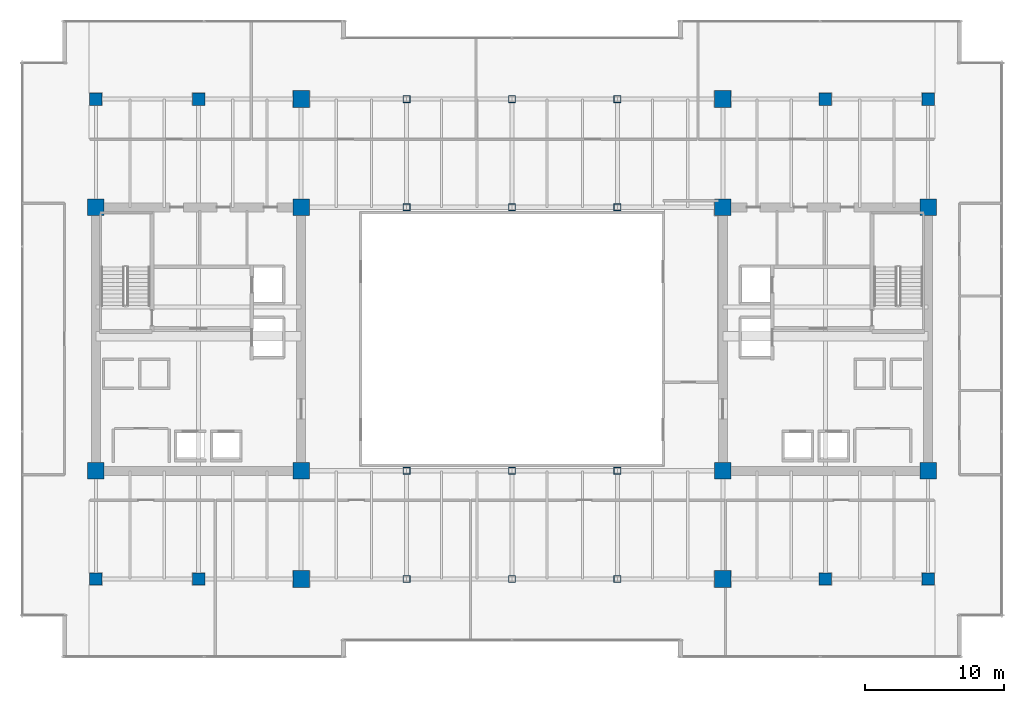
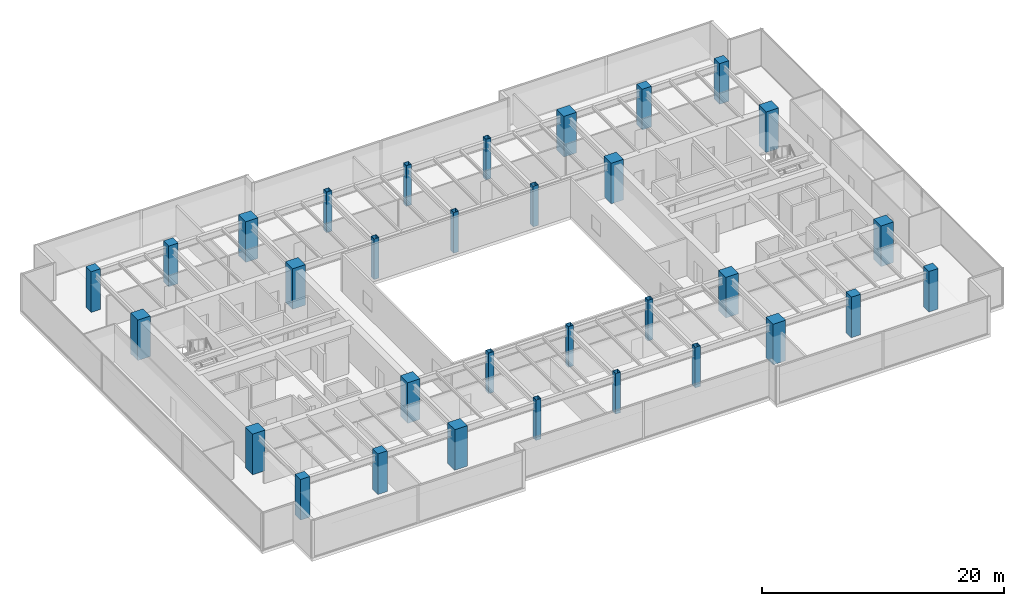
# One storey, part 1 of 33: 32 columns.
"""IFC4 building model written with IfcOpenShell, lengths in metres."""

from ifc_helpers import new_model, si_unit, direction, frame, origin, origin_2d, place, context, subcontext, project, spatial, rectangle, hollow_rectangle, extrude, source, transform, mapped, material, material_profile, profile_set, type_object, type_shapes, element, save


model = new_model("IFC4")

# Units and contexts
model_context = context("Model", 3, precision=1e-05, world=origin(), true_north=direction((0.0, 1.0)))
body_context = subcontext(model_context, "Body", "Model", "MODEL_VIEW")
ifc_project = project(units=[si_unit("LENGTHUNIT", "METRE"), si_unit("AREAUNIT", "SQUARE_METRE"), si_unit("VOLUMEUNIT", "CUBIC_METRE"), si_unit("PLANEANGLEUNIT", "RADIAN"), si_unit("MASSUNIT", "GRAM", prefix="KILO")], contexts=[model_context])

# Site, building, storey
site_placement = place(None, origin())
site = spatial("IfcSite", under=ifc_project, at=site_placement, CompositionType="ELEMENT")
building_placement = place(site_placement, origin())
building = spatial("IfcBuilding", under=site, at=building_placement, Name="Haelvirn Gate Laboratories", CompositionType="ELEMENT")
storey_placement = place(building_placement, frame((0.0, 0.0, 117.39990234375)))
storey = spatial("IfcBuildingStorey", under=building, at=storey_placement, Name="L28", CompositionType="ELEMENT", Elevation=117.39990234375)

# Columns
ifc_material_1 = material(Name="Concrete C50/60", Category="concrete")
ifc_material_profile_1 = material_profile(ifc_material_1, rectangle(XDim=0.89990234375, YDim=0.89990234375, at=origin_2d()), Name="RC-900x900")
ifc_profile_set_1 = profile_set([ifc_material_profile_1], Name="Concrete C50/60")
column_type_1 = type_object("IfcColumnType", Name="COL-RC-900", PredefinedType="COLUMN", material=ifc_profile_set_1)
shared_shape_1 = source(origin(), body_context, "Body", "SweptSolid", [
    extrude(rectangle(XDim=0.89990234375, YDim=0.89990234375, at=origin_2d()), origin(), (0.0, 0.0, 1.0), 4.10009765625),
])
type_shapes(column_type_1, [shared_shape_1])
for number, where, z_axis, x_axis, name in (
    (1, (14.800048828125, 7.0, 0.0), (0.0, 0.0, 1.0), (1.0, 0.0, 0.0), "L28 Column 3B"),
    (2, (14.800048828125, 41.60009765625, 0.0), (0.0, 0.0, 1.0), (1.0, 0.0, 0.0), "L28 Column 3G"),
    (3, (60.0, 7.0, 0.0), (0.0, 0.0, 1.0), (1.0, 0.0, 0.0), "L28 Column 9B"),
    (4, (60.0, 41.60009765625, 0.0), (0.0, 0.0, 1.0), (1.0, 0.0, 0.0), "L28 Column 9G"),
    (5, (7.39990234375, 7.0, 0.0), (0.0, 0.0, 1.0), (1.0, 0.0, 0.0), "L28 Column 2B"),
    (6, (7.39990234375, 41.60009765625, 0.0), (0.0, 0.0, 1.0), (1.0, 0.0, 0.0), "L28 Column 2G"),
    (7, (67.39990234375, 7.0, 0.0), (0.0, 0.0, 1.0), (1.0, 0.0, 0.0), "L28 Column 10B"),
    (8, (67.39990234375, 41.60009765625, 0.0), (0.0, 0.0, 1.0), (1.0, 0.0, 0.0), "L28 Column 10G"),
):
    element("IfcColumn", number, at=place(storey_placement, frame(where, z_axis=z_axis, x_axis=x_axis)), inside=storey, type_object=column_type_1, Name=name, PredefinedType="COLUMN", context=body_context, shape_type="MappedRepresentation", body=[
        mapped(shared_shape_1, transform((0.0, 0.0, 0.0), scale=1.0)),
    ])
ifc_material_2 = material(Name="Concrete C60/75", Category="concrete")
ifc_material_profile_2 = material_profile(ifc_material_2, rectangle(XDim=1.199951171875, YDim=1.199951171875, at=origin_2d()), Name="SRC-1200x1200")
ifc_profile_set_2 = profile_set([ifc_material_profile_2], Name="Concrete C60/75")
column_type_2 = type_object("IfcColumnType", Name="COL-SRC-1200", PredefinedType="COLUMN", material=ifc_profile_set_2)
shared_shape_2 = source(origin(), body_context, "Body", "SweptSolid", [
    extrude(rectangle(XDim=1.199951171875, YDim=1.199951171875, at=origin_2d()), origin(), (0.0, 0.0, 1.0), 4.10009765625),
])
type_shapes(column_type_2, [shared_shape_2])
for number, where, z_axis, x_axis, name in (
    (9, (22.199951171875, 7.0, 0.0), (0.0, 0.0, 1.0), (1.0, 0.0, 0.0), "L28 Column 4B"),
    (10, (7.39990234375, 14.800048828125, 0.0), (0.0, 0.0, 1.0), (1.0, 0.0, 0.0), "L28 Column 2C"),
    (11, (22.199951171875, 14.800048828125, 0.0), (0.0, 0.0, 1.0), (1.0, 0.0, 0.0), "L28 Column 4C"),
    (12, (7.39990234375, 33.800048828125, 0.0), (0.0, 0.0, 1.0), (1.0, 0.0, 0.0), "L28 Column 2F"),
    (13, (22.199951171875, 33.800048828125, 0.0), (0.0, 0.0, 1.0), (1.0, 0.0, 0.0), "L28 Column 4F"),
    (14, (22.199951171875, 41.60009765625, 0.0), (0.0, 0.0, 1.0), (1.0, 0.0, 0.0), "L28 Column 4G"),
    (15, (52.60009765625, 7.0, 0.0), (0.0, 0.0, 1.0), (1.0, 0.0, 0.0), "L28 Column 8B"),
    (16, (52.60009765625, 14.800048828125, 0.0), (0.0, 0.0, 1.0), (1.0, 0.0, 0.0), "L28 Column 8C"),
    (17, (67.39990234375, 14.800048828125, 0.0), (0.0, 0.0, 1.0), (1.0, 0.0, 0.0), "L28 Column 10C"),
    (18, (52.60009765625, 33.800048828125, 0.0), (0.0, 0.0, 1.0), (1.0, 0.0, 0.0), "L28 Column 8F"),
    (19, (67.39990234375, 33.800048828125, 0.0), (0.0, 0.0, 1.0), (1.0, 0.0, 0.0), "L28 Column 10F"),
    (20, (52.60009765625, 41.60009765625, 0.0), (0.0, 0.0, 1.0), (1.0, 0.0, 0.0), "L28 Column 8G"),
):
    element("IfcColumn", number, at=place(storey_placement, frame(where, z_axis=z_axis, x_axis=x_axis)), inside=storey, type_object=column_type_2, Name=name, PredefinedType="COLUMN", context=body_context, shape_type="MappedRepresentation", body=[
        mapped(shared_shape_2, transform((0.0, 0.0, 0.0), scale=1.0)),
    ])
ifc_material_3 = material(Name="Steel SM355", Category="steel")
ifc_material_profile_3 = material_profile(ifc_material_3, hollow_rectangle(XDim=0.5, YDim=0.5, WallThickness=0.02197265625, at=origin_2d()), Name="BOX-500x500x22")
ifc_profile_set_3 = profile_set([ifc_material_profile_3], Name="Steel SM355")
column_type_3 = type_object("IfcColumnType", Name="COL-BOX-500", PredefinedType="COLUMN", material=ifc_profile_set_3)
shared_shape_3 = source(origin(), body_context, "Body", "SweptSolid", [
    extrude(hollow_rectangle(XDim=0.5, YDim=0.5, WallThickness=0.02197265625, at=origin_2d()), origin(), (0.0, 0.0, 1.0), 4.10009765625),
])
type_shapes(column_type_3, [shared_shape_3])
for number, where, z_axis, x_axis, name in (
    (21, (29.800048828125, 7.0, 0.0), (0.0, 0.0, 1.0), (1.0, 0.0, 0.0), "L28 Column 5B"),
    (22, (29.800048828125, 14.800048828125, 0.0), (0.0, 0.0, 1.0), (1.0, 0.0, 0.0), "L28 Column 5C"),
    (23, (29.800048828125, 33.800048828125, 0.0), (0.0, 0.0, 1.0), (1.0, 0.0, 0.0), "L28 Column 5F"),
    (24, (29.800048828125, 41.60009765625, 0.0), (0.0, 0.0, 1.0), (1.0, 0.0, 0.0), "L28 Column 5G"),
    (25, (37.39990234375, 7.0, 0.0), (0.0, 0.0, 1.0), (1.0, 0.0, 0.0), "L28 Column 6B"),
    (26, (37.39990234375, 14.800048828125, 0.0), (0.0, 0.0, 1.0), (1.0, 0.0, 0.0), "L28 Column 6C"),
    (27, (37.39990234375, 33.800048828125, 0.0), (0.0, 0.0, 1.0), (1.0, 0.0, 0.0), "L28 Column 6F"),
    (28, (37.39990234375, 41.60009765625, 0.0), (0.0, 0.0, 1.0), (1.0, 0.0, 0.0), "L28 Column 6G"),
    (29, (45.0, 7.0, 0.0), (0.0, 0.0, 1.0), (1.0, 0.0, 0.0), "L28 Column 7B"),
    (30, (45.0, 14.800048828125, 0.0), (0.0, 0.0, 1.0), (1.0, 0.0, 0.0), "L28 Column 7C"),
    (31, (45.0, 33.800048828125, 0.0), (0.0, 0.0, 1.0), (1.0, 0.0, 0.0), "L28 Column 7F"),
    (32, (45.0, 41.60009765625, 0.0), (0.0, 0.0, 1.0), (1.0, 0.0, 0.0), "L28 Column 7G"),
):
    element("IfcColumn", number, at=place(storey_placement, frame(where, z_axis=z_axis, x_axis=x_axis)), inside=storey, type_object=column_type_3, Name=name, PredefinedType="COLUMN", context=body_context, shape_type="MappedRepresentation", body=[
        mapped(shared_shape_3, transform((0.0, 0.0, 0.0), scale=1.0)),
    ])

save(model, "model.ifc")
